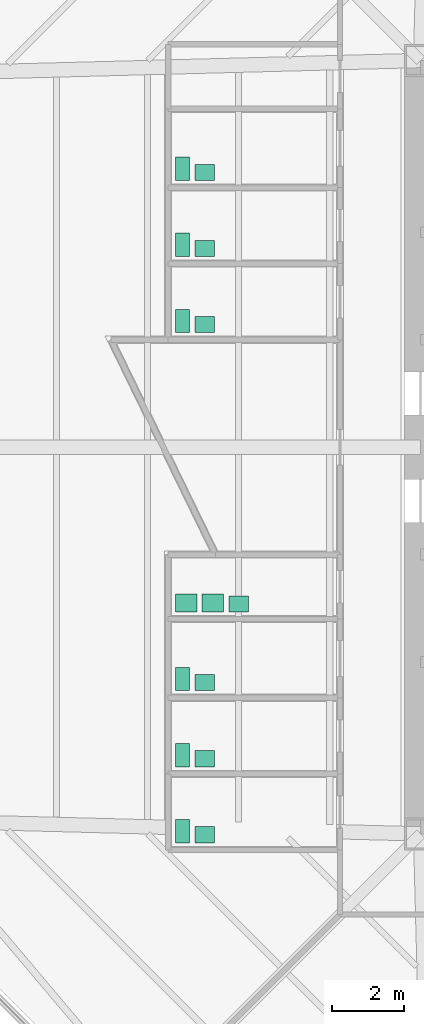
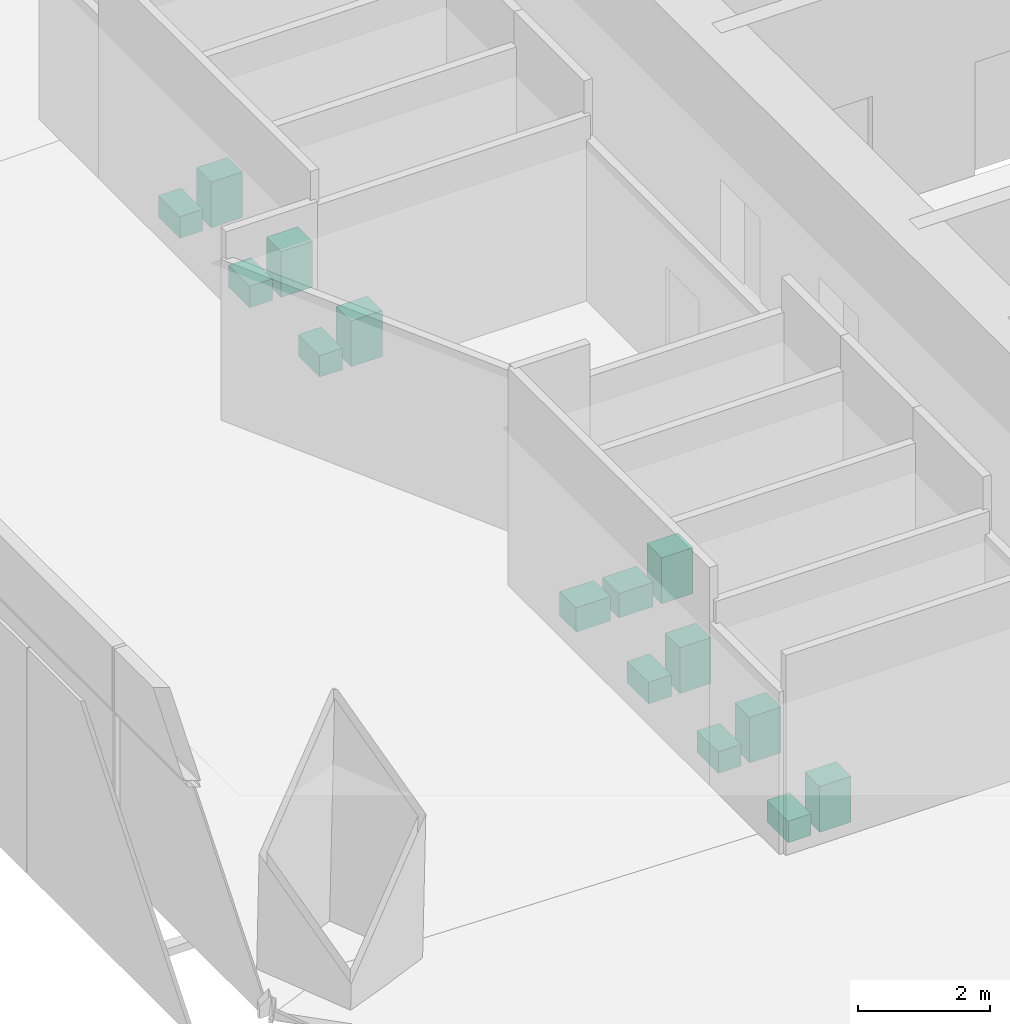
# One storey, part 14 of 14: 15 sanitary terminals.
"""IFC4 building model written with IfcOpenShell, lengths in metres."""

from ifc_helpers import new_model, si_unit, direction, frame, origin, origin_2d, place, context, subcontext, project, spatial, rectangle, extrude, material, type_object, element, save


model = new_model("IFC4")

# Units and contexts
model_context = context("Model", 3, precision=1e-05, world=origin(), true_north=direction((0.0, 1.0)))
body_context = subcontext(model_context, "Body", "Model", "MODEL_VIEW")
ifc_project = project(units=[si_unit("LENGTHUNIT", "METRE"), si_unit("AREAUNIT", "SQUARE_METRE"), si_unit("VOLUMEUNIT", "CUBIC_METRE"), si_unit("PLANEANGLEUNIT", "RADIAN"), si_unit("MASSUNIT", "GRAM", prefix="KILO")], contexts=[model_context])

# Site, building, storey
site_placement = place(None, origin())
site = spatial("IfcSite", under=ifc_project, at=site_placement, CompositionType="ELEMENT")
building_placement = place(site_placement, origin())
building = spatial("IfcBuilding", under=site, at=building_placement, Name="Mashrafa Tower", CompositionType="ELEMENT")
storey_placement = place(building_placement, frame((0.0, 0.0, 41.39990234375)))
storey = spatial("IfcBuildingStorey", under=building, at=storey_placement, Name="L08", CompositionType="ELEMENT", Elevation=41.39990234375)

# Sanitary terminals
ifc_material_1 = material(Name="Stainless steel", Category="steel")
sanitary_terminal_type_1 = type_object("IfcSanitaryTerminalType", Name="Ablution wash station 600 x 500", PredefinedType="WASHHANDBASIN", material=ifc_material_1)
for number, where, z_axis, x_axis, name in (
    (1, (-17.35009765625, -4.35009765625, 0.0), (0.0, 0.0, 1.0), (1.0, 0.0, 0.0), "Ablution wash station Ablution Room L08 S"),
    (2, (-16.60009765625, -4.35009765625, 0.0), (0.0, 0.0, 1.0), (1.0, 0.0, 0.0), "Ablution wash station Ablution Room L08 S"),
):
    element("IfcSanitaryTerminal", number, at=place(storey_placement, frame(where, z_axis=z_axis, x_axis=x_axis)), inside=storey, type_object=sanitary_terminal_type_1, Name=name, PredefinedType="WASHHANDBASIN", context=body_context, shape_type="SweptSolid", body=[
        extrude(rectangle(XDim=0.60009765625, YDim=0.5, at=origin_2d()), origin(), (0.0, 0.0, 1.0), 0.449951171875),
    ])
ifc_material_2 = material(Name="Vitreous china")
sanitary_terminal_type_2 = type_object("IfcSanitaryTerminalType", Name="Toilet pan 400 x 650", PredefinedType="TOILETPAN", material=ifc_material_2)
for number, where, z_axis, x_axis, name in (
    (3, (-17.449951171875, 3.52490234375, 0.000244140625), (0.0, 0.0, 1.0), (1.0, 0.0, 0.0), "Toilet pan WC Female L08 N"),
    (4, (-17.449951171875, 5.64990234375, 0.000244140625), (0.0, 0.0, 1.0), (1.0, 0.0, 0.0), "Toilet pan WC Male L08 N"),
    (5, (-17.449951171875, 7.77490234375, 0.000244140625), (0.0, 0.0, 1.0), (1.0, 0.0, 0.0), "Toilet pan Accessible WC L08 N"),
    (6, (-17.449951171875, -10.72509765625, 0.000244140625), (0.0, 0.0, 1.0), (1.0, 0.0, 0.0), "Toilet pan WC Female L08 S"),
    (7, (-17.449951171875, -8.60009765625, 0.000244140625), (0.0, 0.0, 1.0), (1.0, 0.0, 0.0), "Toilet pan WC Male L08 S"),
    (8, (-17.449951171875, -6.47509765625, 0.000244140625), (0.0, 0.0, 1.0), (1.0, 0.0, 0.0), "Toilet pan Accessible WC L08 S"),
):
    element("IfcSanitaryTerminal", number, at=place(storey_placement, frame(where, z_axis=z_axis, x_axis=x_axis)), inside=storey, type_object=sanitary_terminal_type_2, Name=name, PredefinedType="TOILETPAN", context=body_context, shape_type="SweptSolid", body=[
        extrude(rectangle(XDim=0.39990234375, YDim=0.64990234375, at=origin_2d()), origin(), (0.0, 0.0, 1.0), 0.39990234375),
    ])
ifc_material_3 = material(Name="Vitreous china")
sanitary_terminal_type_3 = type_object("IfcSanitaryTerminalType", Name="Wash basin 550 x 450", PredefinedType="WASHHANDBASIN", material=ifc_material_3)
for number, where, z_axis, x_axis, name in (
    (9, (-16.824951171875, 3.425048828125, 0.0), (0.0, 0.0, 1.0), (1.0, 0.0, 0.0), "Wash basin WC Female L08 N"),
    (10, (-16.824951171875, 5.550048828125, 0.0), (0.0, 0.0, 1.0), (1.0, 0.0, 0.0), "Wash basin WC Male L08 N"),
    (11, (-16.824951171875, 7.675048828125, 0.0), (0.0, 0.0, 1.0), (1.0, 0.0, 0.0), "Wash basin Accessible WC L08 N"),
    (12, (-16.824951171875, -10.824951171875, 0.0), (0.0, 0.0, 1.0), (1.0, 0.0, 0.0), "Wash basin WC Female L08 S"),
    (13, (-16.824951171875, -8.699951171875, 0.0), (0.0, 0.0, 1.0), (1.0, 0.0, 0.0), "Wash basin WC Male L08 S"),
    (14, (-16.824951171875, -6.574951171875, 0.0), (0.0, 0.0, 1.0), (1.0, 0.0, 0.0), "Wash basin Accessible WC L08 S"),
    (15, (-15.875, -4.375, 0.0), (0.0, 0.0, 1.0), (1.0, 0.0, 0.0), "Wash basin Ablution Room L08 S"),
):
    element("IfcSanitaryTerminal", number, at=place(storey_placement, frame(where, z_axis=z_axis, x_axis=x_axis)), inside=storey, type_object=sanitary_terminal_type_3, Name=name, PredefinedType="WASHHANDBASIN", context=body_context, shape_type="SweptSolid", body=[
        extrude(rectangle(XDim=0.550048828125, YDim=0.449951171875, at=origin_2d()), origin(), (0.0, 0.0, 1.0), 0.85009765625),
    ])

save(model, "model.ifc")
